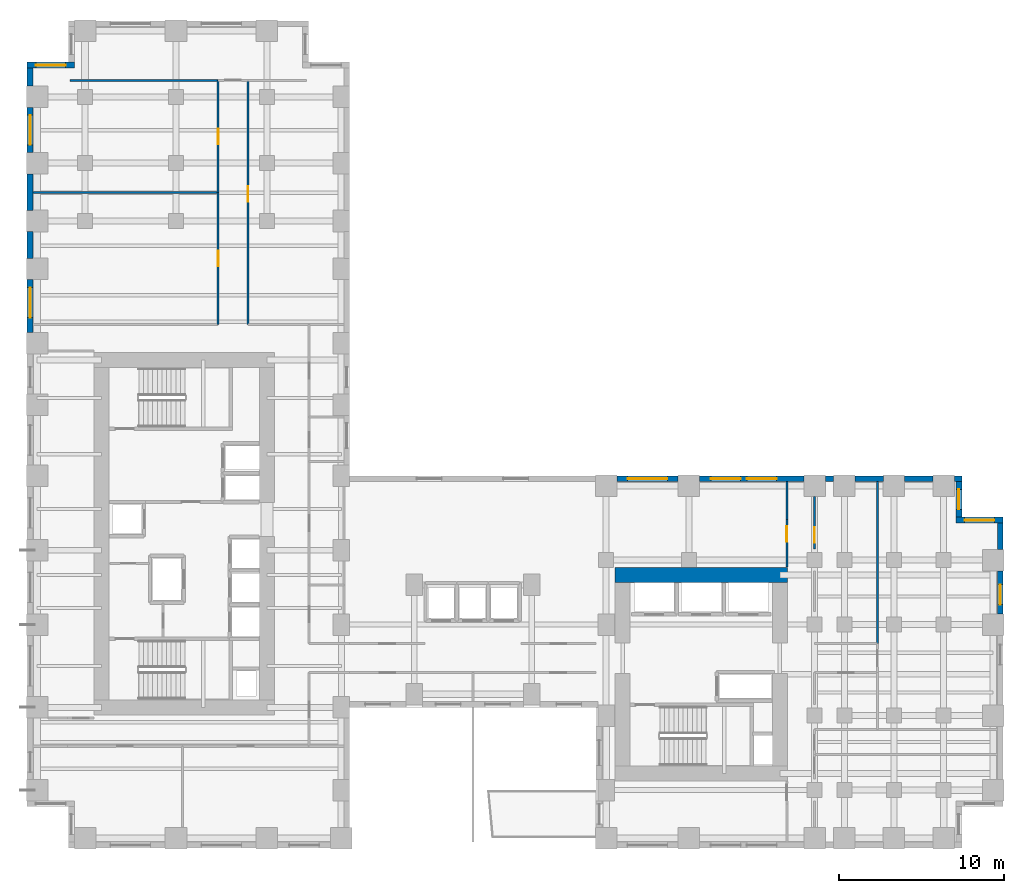
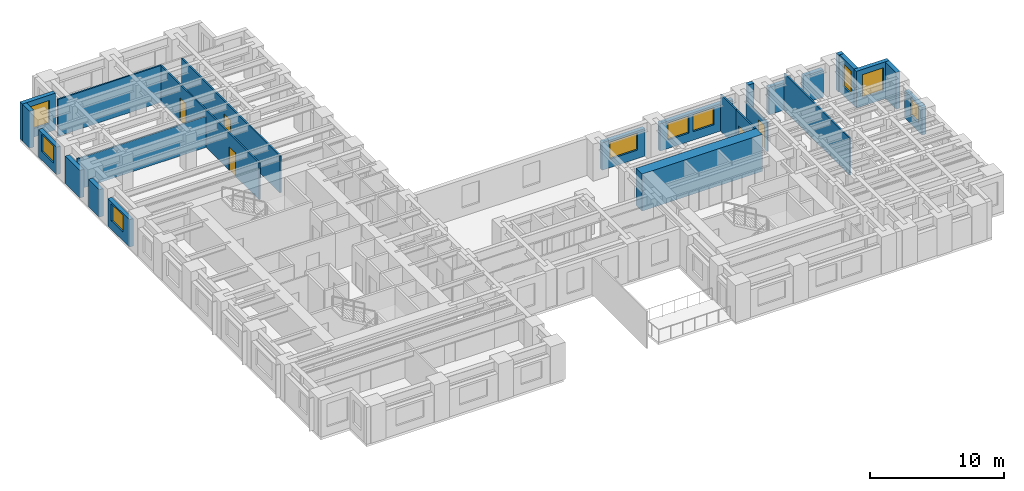
# One storey, part 8 of 12: 26 walls, 9 windows, 5 doors, 14 openings.
"""IFC4 building model written with IfcOpenShell, lengths in metres."""

from ifc_helpers import new_model, si_unit, direction, frame, frame_2d, origin, place, context, subcontext, project, spatial, rectangle, extrude, source, transform, mapped, material, layer, layer_set, type_object, element, fill, save


model = new_model("IFC4")

# Units and contexts
model_context = context("Model", 3, precision=1e-05, world=origin(), true_north=direction((0.0, 1.0)))
body_context = subcontext(model_context, "Body", "Model", "MODEL_VIEW")
ifc_project = project(units=[si_unit("LENGTHUNIT", "METRE"), si_unit("AREAUNIT", "SQUARE_METRE"), si_unit("VOLUMEUNIT", "CUBIC_METRE"), si_unit("PLANEANGLEUNIT", "RADIAN"), si_unit("MASSUNIT", "GRAM", prefix="KILO")], contexts=[model_context])

# Site, building, storey
site_placement = place(None, origin())
site = spatial("IfcSite", under=ifc_project, at=site_placement, CompositionType="ELEMENT")
building_placement = place(site_placement, origin())
building = spatial("IfcBuilding", under=site, at=building_placement, Name="Kharzan Plaza Tower", CompositionType="ELEMENT")
storey_placement = place(building_placement, frame((0.0, 0.0, 62.10009765625)))
storey = spatial("IfcBuildingStorey", under=building, at=storey_placement, Name="L16", CompositionType="ELEMENT", Elevation=62.10009765625)

# Wall, opening, window
ifc_material_1 = material(Name="Concrete C40/50", Category="concrete")
ifc_layer_1 = layer(ifc_material_1, 0.35009765625)
ifc_layer_set_1 = layer_set([ifc_layer_1], Name="Concrete C40/50")
wall_type_1 = type_object("IfcWallType", Name="WL-EXT-MAS-Z1", PredefinedType="SOLIDWALL", material=ifc_layer_set_1)
wall_1_placement = place(storey_placement, frame((2.85009765625, 47.324951171875, 0.0), z_axis=(0.0, 0.0, 1.0), x_axis=(-1.0, 0.0, 0.0)))
wall_1 = element("IfcWall", 1, at=wall_1_placement, inside=storey, type_object=wall_type_1, Name="L16 Masonry-Frame Exterior Wall 08", PredefinedType="SOLIDWALL", context=body_context, shape_type="SweptSolid", body=[
    extrude(rectangle(XDim=2.85009765625, YDim=0.35009765625, at=frame_2d((1.425048828125, 0.0))), origin(), (0.0, 0.0, 1.0), 3.364990234375),
])
opening_1_placement = place(wall_1_placement, frame((0.52490234375, 0.0, 0.780029296875)))
opening_1 = element("IfcOpeningElement", 2, at=opening_1_placement, cuts=wall_1, Name="Opening W1", PredefinedType="OPENING", context=body_context, shape_type="SweptSolid", body=[
    extrude(rectangle(XDim=1.800048828125, YDim=2.10009765625, at=frame_2d((0.89990234375, 1.050048828125))), frame((0.0, 0.18505859375, 0.0), z_axis=(0.0, -1.0, 0.0), x_axis=(1.0, 0.0, 0.0)), (0.0, 0.0, 1.0), 0.3701171875),
])
ifc_material_2 = material(Name="Low-E Double Glazing", Category="glass")
window_type_1 = type_object("IfcWindowType", Name="WN-REC-1800x2100", PartitioningType="SINGLE_PANEL", PredefinedType="WINDOW", material=ifc_material_2)
shared_shape_1 = source(origin(), body_context, "Body", "SweptSolid", [
    extrude(rectangle(XDim=1.800048828125, YDim=2.10009765625, at=frame_2d((0.89990234375, 1.050048828125))), frame((0.0, 0.030029296875, 0.0), z_axis=(0.0, -1.0, 0.0), x_axis=(1.0, 0.0, 0.0)), (0.0, 0.0, 1.0), 0.06005859375),
])
window_1_placement = place(opening_1_placement, origin())
window_1 = element("IfcWindow", 3, at=window_1_placement, inside=storey, type_object=window_type_1, Name="L16 Recessed Solar-Control Window 08-1", OverallHeight=2.10009765625, OverallWidth=1.800048828125, PartitioningType="SINGLE_PANEL", PredefinedType="WINDOW", context=body_context, shape_type="MappedRepresentation", body=[
    mapped(shared_shape_1, transform((0.0, 0.0, 0.0), x_axis=(1.0, 0.0, 0.0), y_axis=(0.0, 1.0, 0.0), z_axis=(0.0, 0.0, 1.0))),
])
fill(opening_1, window_1)

wall_2_placement = place(storey_placement, frame((0.175048828125, 44.751953125, 0.0), z_axis=(0.0, 0.0, 1.0), x_axis=(0.0, -1.0, 0.0)))
wall_2 = element("IfcWall", 4, at=wall_2_placement, inside=storey, type_object=wall_type_1, Name="L16 Masonry-Frame Exterior Wall 10", PredefinedType="SOLIDWALL", context=body_context, shape_type="SweptSolid", body=[
    extrude(rectangle(XDim=2.703857421875, YDim=0.35009765625, at=frame_2d((1.35205078125, 0.0))), origin(), (0.0, 0.0, 1.0), 2.510009765625),
])
opening_2_placement = place(wall_2_placement, frame((0.451904296875, 0.0, 0.780029296875)))
opening_2 = element("IfcOpeningElement", 5, at=opening_2_placement, cuts=wall_2, Name="Opening W1", PredefinedType="OPENING", context=body_context, shape_type="SweptSolid", body=[
    extrude(rectangle(XDim=1.800048828125, YDim=1.550048828125, at=frame_2d((0.89990234375, 0.77490234375))), frame((0.0, 0.18505859375, 0.0), z_axis=(0.0, -1.0, 0.0), x_axis=(1.0, 0.0, 0.0)), (0.0, 0.0, 1.0), 0.3701171875),
])
shared_shape_2 = source(origin(), body_context, "Body", "SweptSolid", [
    extrude(rectangle(XDim=1.800048828125, YDim=1.550048828125, at=frame_2d((0.89990234375, 0.77490234375))), frame((0.0, 0.030029296875, 0.0), z_axis=(0.0, -1.0, 0.0), x_axis=(1.0, 0.0, 0.0)), (0.0, 0.0, 1.0), 0.06005859375),
])
window_2_placement = place(opening_2_placement, origin())
window_2 = element("IfcWindow", 6, at=window_2_placement, inside=storey, type_object=window_type_1, Name="L16 Recessed Solar-Control Window 10-1", OverallHeight=1.550048828125, OverallWidth=1.800048828125, PartitioningType="SINGLE_PANEL", PredefinedType="WINDOW", context=body_context, shape_type="MappedRepresentation", body=[
    mapped(shared_shape_2, transform((0.0, 0.0, 0.0), x_axis=(1.0, 0.0, 0.0), y_axis=(0.0, 1.0, 0.0), z_axis=(0.0, 0.0, 1.0))),
])
fill(opening_2, window_2)

wall_3_placement = place(storey_placement, frame((0.175048828125, 34.35205078125, 0.0), z_axis=(0.0, 0.0, 1.0), x_axis=(0.0, -1.0, 0.0)))
wall_3 = element("IfcWall", 7, at=wall_3_placement, inside=storey, type_object=wall_type_1, Name="L16 Masonry-Frame Exterior Wall 13", PredefinedType="SOLIDWALL", context=body_context, shape_type="SweptSolid", body=[
    extrude(rectangle(XDim=3.2041015625, YDim=0.35009765625, at=frame_2d((1.60205078125, 0.0))), origin(), (0.0, 0.0, 1.0), 2.510009765625),
])
opening_3_placement = place(wall_3_placement, frame((0.486083984375, 0.0, 0.780029296875)))
opening_3 = element("IfcOpeningElement", 8, at=opening_3_placement, cuts=wall_3, Name="Opening W1", PredefinedType="OPENING", context=body_context, shape_type="SweptSolid", body=[
    extrude(rectangle(XDim=1.800048828125, YDim=1.550048828125, at=frame_2d((0.89990234375, 0.77490234375))), frame((0.0, 0.18505859375, 0.0), z_axis=(0.0, -1.0, 0.0), x_axis=(1.0, 0.0, 0.0)), (0.0, 0.0, 1.0), 0.3701171875),
])
window_3_placement = place(opening_3_placement, origin())
window_3 = element("IfcWindow", 9, at=window_3_placement, inside=storey, type_object=window_type_1, Name="L16 Recessed Solar-Control Window 13-1", OverallHeight=1.550048828125, OverallWidth=1.800048828125, PartitioningType="SINGLE_PANEL", PredefinedType="WINDOW", context=body_context, shape_type="MappedRepresentation", body=[
    mapped(shared_shape_2, transform((0.0, 0.0, 0.0), x_axis=(1.0, 0.0, 0.0), y_axis=(0.0, 1.0, 0.0), z_axis=(0.0, 0.0, 1.0))),
])
fill(opening_3, window_3)

wall_4_placement = place(storey_placement, frame((58.824951171875, 14.14794921875, 0.0), z_axis=(0.0, 0.0, 1.0), x_axis=(0.0, 1.0, 0.0)))
wall_4 = element("IfcWall", 10, at=wall_4_placement, inside=storey, type_object=wall_type_1, Name="L16 Masonry-Frame Exterior Wall 43", PredefinedType="SOLIDWALL", context=body_context, shape_type="SweptSolid", body=[
    extrude(rectangle(XDim=2.60400390625, YDim=0.35009765625, at=frame_2d((1.302001953125, 0.0))), origin(), (0.0, 0.0, 1.0), 2.510009765625),
])
opening_4_placement = place(wall_4_placement, frame((0.5673828125, 0.0, 0.780029296875)))
opening_4 = element("IfcOpeningElement", 11, at=opening_4_placement, cuts=wall_4, Name="Opening W3", PredefinedType="OPENING", context=body_context, shape_type="SweptSolid", body=[
    extrude(rectangle(XDim=1.199951171875, YDim=1.550048828125, at=frame_2d((0.60009765625, 0.77490234375))), frame((0.0, 0.18505859375, 0.0), z_axis=(0.0, -1.0, 0.0), x_axis=(1.0, 0.0, 0.0)), (0.0, 0.0, 1.0), 0.3701171875),
])
window_type_2 = type_object("IfcWindowType", Name="WN-REC-1200x2100", PartitioningType="SINGLE_PANEL", PredefinedType="WINDOW", material=ifc_material_2)
shared_shape_3 = source(origin(), body_context, "Body", "SweptSolid", [
    extrude(rectangle(XDim=1.199951171875, YDim=1.550048828125, at=frame_2d((0.60009765625, 0.77490234375))), frame((0.0, 0.030029296875, 0.0), z_axis=(0.0, -1.0, 0.0), x_axis=(1.0, 0.0, 0.0)), (0.0, 0.0, 1.0), 0.06005859375),
])
window_4_placement = place(opening_4_placement, origin())
window_4 = element("IfcWindow", 12, at=window_4_placement, inside=storey, type_object=window_type_2, Name="L16 Recessed Solar-Control Window 43-1", OverallHeight=1.550048828125, OverallWidth=1.199951171875, PartitioningType="SINGLE_PANEL", PredefinedType="WINDOW", context=body_context, shape_type="MappedRepresentation", body=[
    mapped(shared_shape_3, transform((0.0, 0.0, 0.0), x_axis=(1.0, 0.0, 0.0), y_axis=(0.0, 1.0, 0.0), z_axis=(0.0, 0.0, 1.0))),
])
fill(opening_4, window_4)

wall_5_placement = place(storey_placement, frame((59.0, 19.824951171875, 0.0), z_axis=(0.0, 0.0, 1.0), x_axis=(-1.0, 0.0, 0.0)))
wall_5 = element("IfcWall", 13, at=wall_5_placement, inside=storey, type_object=wall_type_1, Name="L16 Masonry-Frame Exterior Wall 45", PredefinedType="SOLIDWALL", context=body_context, shape_type="SweptSolid", body=[
    extrude(rectangle(XDim=2.85009765625, YDim=0.35009765625, at=frame_2d((1.425048828125, 0.0))), origin(), (0.0, 0.0, 1.0), 3.364990234375),
])
opening_5_placement = place(wall_5_placement, frame((0.52490234375, 0.0, 0.780029296875)))
opening_5 = element("IfcOpeningElement", 14, at=opening_5_placement, cuts=wall_5, Name="Opening W1", PredefinedType="OPENING", context=body_context, shape_type="SweptSolid", body=[
    extrude(rectangle(XDim=1.800048828125, YDim=2.10009765625, at=frame_2d((0.89990234375, 1.050048828125))), frame((0.0, 0.18505859375, 0.0), z_axis=(0.0, -1.0, 0.0), x_axis=(1.0, 0.0, 0.0)), (0.0, 0.0, 1.0), 0.3701171875),
])
window_5_placement = place(opening_5_placement, origin())
window_5 = element("IfcWindow", 15, at=window_5_placement, inside=storey, type_object=window_type_1, Name="L16 Recessed Solar-Control Window 45-1", OverallHeight=2.10009765625, OverallWidth=1.800048828125, PartitioningType="SINGLE_PANEL", PredefinedType="WINDOW", context=body_context, shape_type="MappedRepresentation", body=[
    mapped(shared_shape_1, transform((0.0, 0.0, 0.0), x_axis=(1.0, 0.0, 0.0), y_axis=(0.0, 1.0, 0.0), z_axis=(0.0, 0.0, 1.0))),
])
fill(opening_5, window_5)

wall_6_placement = place(storey_placement, frame((56.324951171875, 19.998046875, 0.0), z_axis=(0.0, 0.0, 1.0), x_axis=(0.0, 1.0, 0.0)))
wall_6 = element("IfcWall", 16, at=wall_6_placement, inside=storey, type_object=wall_type_1, Name="L16 Masonry-Frame Exterior Wall 46", PredefinedType="SOLIDWALL", context=body_context, shape_type="SweptSolid", body=[
    extrude(rectangle(XDim=2.154052734375, YDim=0.35009765625, at=frame_2d((1.0771484375, 0.0))), origin(), (0.0, 0.0, 1.0), 3.364990234375),
])
opening_6_placement = place(wall_6_placement, frame((0.47705078125, 0.0, 0.780029296875)))
opening_6 = element("IfcOpeningElement", 17, at=opening_6_placement, cuts=wall_6, Name="Opening W3", PredefinedType="OPENING", context=body_context, shape_type="SweptSolid", body=[
    extrude(rectangle(XDim=1.199951171875, YDim=2.10009765625, at=frame_2d((0.60009765625, 1.050048828125))), frame((0.0, 0.18505859375, 0.0), z_axis=(0.0, -1.0, 0.0), x_axis=(1.0, 0.0, 0.0)), (0.0, 0.0, 1.0), 0.3701171875),
])
shared_shape_4 = source(origin(), body_context, "Body", "SweptSolid", [
    extrude(rectangle(XDim=1.199951171875, YDim=2.10009765625, at=frame_2d((0.60009765625, 1.050048828125))), frame((0.0, 0.030029296875, 0.0), z_axis=(0.0, -1.0, 0.0), x_axis=(1.0, 0.0, 0.0)), (0.0, 0.0, 1.0), 0.06005859375),
])
window_6_placement = place(opening_6_placement, origin())
window_6 = element("IfcWindow", 18, at=window_6_placement, inside=storey, type_object=window_type_2, Name="L16 Recessed Solar-Control Window 46-1", OverallHeight=2.10009765625, OverallWidth=1.199951171875, PartitioningType="SINGLE_PANEL", PredefinedType="WINDOW", context=body_context, shape_type="MappedRepresentation", body=[
    mapped(shared_shape_4, transform((0.0, 0.0, 0.0), x_axis=(1.0, 0.0, 0.0), y_axis=(0.0, 1.0, 0.0), z_axis=(0.0, 0.0, 1.0))),
])
fill(opening_6, window_6)

# Wall, openings, windows
wall_7_placement = place(storey_placement, frame((46.951904296875, 22.324951171875, 0.0), z_axis=(0.0, 0.0, 1.0), x_axis=(-1.0, 0.0, 0.0)))
wall_7 = element("IfcWall", 19, at=wall_7_placement, inside=storey, type_object=wall_type_1, Name="L16 Masonry-Frame Exterior Wall 51", PredefinedType="SOLIDWALL", context=body_context, shape_type="SweptSolid", body=[
    extrude(rectangle(XDim=6.303955078125, YDim=0.35009765625, at=frame_2d((3.15185546875, 0.0))), origin(), (0.0, 0.0, 1.0), 2.510009765625),
])
opening_7_placement = place(wall_7_placement, frame((1.6494140625, 0.0, 0.780029296875)))
opening_7 = element("IfcOpeningElement", 20, at=opening_7_placement, cuts=wall_7, Name="Opening W1", PredefinedType="OPENING", context=body_context, shape_type="SweptSolid", body=[
    extrude(rectangle(XDim=1.800048828125, YDim=1.550048828125, at=frame_2d((0.89990234375, 0.77490234375))), frame((0.0, 0.18505859375, 0.0), z_axis=(0.0, -1.0, 0.0), x_axis=(1.0, 0.0, 0.0)), (0.0, 0.0, 1.0), 0.3701171875),
])
opening_8_placement = place(wall_7_placement, frame((3.816650390625, 0.0, 0.780029296875)))
opening_8 = element("IfcOpeningElement", 21, at=opening_8_placement, cuts=wall_7, Name="Opening W1", PredefinedType="OPENING", context=body_context, shape_type="SweptSolid", body=[
    extrude(rectangle(XDim=1.800048828125, YDim=1.550048828125, at=frame_2d((0.89990234375, 0.77490234375))), frame((0.0, 0.18505859375, 0.0), z_axis=(0.0, -1.0, 0.0), x_axis=(1.0, 0.0, 0.0)), (0.0, 0.0, 1.0), 0.3701171875),
])
window_7_placement = place(opening_7_placement, origin())
window_7 = element("IfcWindow", 22, at=window_7_placement, inside=storey, type_object=window_type_1, Name="L16 Recessed Solar-Control Window 51-1", OverallHeight=1.550048828125, OverallWidth=1.800048828125, PartitioningType="SINGLE_PANEL", PredefinedType="WINDOW", context=body_context, shape_type="MappedRepresentation", body=[
    mapped(shared_shape_2, transform((0.0, 0.0, 0.0), x_axis=(1.0, 0.0, 0.0), y_axis=(0.0, 1.0, 0.0), z_axis=(0.0, 0.0, 1.0))),
])
fill(opening_7, window_7)
window_8_placement = place(opening_8_placement, origin())
window_8 = element("IfcWindow", 23, at=window_8_placement, inside=storey, type_object=window_type_1, Name="L16 Recessed Solar-Control Window 51-2", OverallHeight=1.550048828125, OverallWidth=1.800048828125, PartitioningType="SINGLE_PANEL", PredefinedType="WINDOW", context=body_context, shape_type="MappedRepresentation", body=[
    mapped(shared_shape_2, transform((0.0, 0.0, 0.0), x_axis=(1.0, 0.0, 0.0), y_axis=(0.0, 1.0, 0.0), z_axis=(0.0, 0.0, 1.0))),
])
fill(opening_8, window_8)

# Wall, opening, window
wall_8_placement = place(storey_placement, frame((39.35205078125, 22.324951171875, 0.0), z_axis=(0.0, 0.0, 1.0), x_axis=(-1.0, 0.0, 0.0)))
wall_8 = element("IfcWall", 24, at=wall_8_placement, inside=storey, type_object=wall_type_1, Name="L16 Masonry-Frame Exterior Wall 52", PredefinedType="SOLIDWALL", context=body_context, shape_type="SweptSolid", body=[
    extrude(rectangle(XDim=3.7041015625, YDim=0.35009765625, at=frame_2d((1.85205078125, 0.0))), origin(), (0.0, 0.0, 1.0), 2.510009765625),
])
opening_9_placement = place(wall_8_placement, frame((0.652099609375, 0.0, 0.780029296875)))
opening_9 = element("IfcOpeningElement", 25, at=opening_9_placement, cuts=wall_8, Name="Opening W2", PredefinedType="OPENING", context=body_context, shape_type="SweptSolid", body=[
    extrude(rectangle(XDim=2.39990234375, YDim=1.550048828125, at=frame_2d((1.199951171875, 0.77490234375))), frame((0.0, 0.18505859375, 0.0), z_axis=(0.0, -1.0, 0.0), x_axis=(1.0, 0.0, 0.0)), (0.0, 0.0, 1.0), 0.3701171875),
])
window_type_3 = type_object("IfcWindowType", Name="WN-REC-2400x2100", PartitioningType="SINGLE_PANEL", PredefinedType="WINDOW", material=ifc_material_2)
shared_shape_5 = source(origin(), body_context, "Body", "SweptSolid", [
    extrude(rectangle(XDim=2.39990234375, YDim=1.550048828125, at=frame_2d((1.199951171875, 0.77490234375))), frame((0.0, 0.030029296875, 0.0), z_axis=(0.0, -1.0, 0.0), x_axis=(1.0, 0.0, 0.0)), (0.0, 0.0, 1.0), 0.06005859375),
])
window_9_placement = place(opening_9_placement, origin())
window_9 = element("IfcWindow", 26, at=window_9_placement, inside=storey, type_object=window_type_3, Name="L16 Wide Recessed Solar-Control Window 52-1", OverallHeight=1.550048828125, OverallWidth=2.39990234375, PartitioningType="SINGLE_PANEL", PredefinedType="WINDOW", context=body_context, shape_type="MappedRepresentation", body=[
    mapped(shared_shape_5, transform((0.0, 0.0, 0.0), x_axis=(1.0, 0.0, 0.0), y_axis=(0.0, 1.0, 0.0), z_axis=(0.0, 0.0, 1.0))),
])
fill(opening_9, window_9)

# Wall, opening, door
ifc_material_3 = material(Name="Fire-Rated Gypsum Board Partition", Category="gypsum")
ifc_layer_2 = layer(ifc_material_3, 0.125)
ifc_layer_set_2 = layer_set([ifc_layer_2], Name="Fire-Rated Gypsum Board Partition")
wall_type_2 = type_object("IfcWallType", Name="WL-INT-PART-125", PredefinedType="PARTITIONING", material=ifc_layer_set_2)
wall_9_placement = place(storey_placement, frame((47.60009765625, 18.06005859375, 0.0), z_axis=(0.0, 0.0, 1.0), x_axis=(0.0, 1.0, 0.0)))
wall_9 = element("IfcWall", 27, at=wall_9_placement, inside=storey, type_object=wall_type_2, Name="L16 Interior Partition SH-B2W3D-S2", PredefinedType="PARTITIONING", context=body_context, shape_type="SweptSolid", body=[
    extrude(rectangle(XDim=3.179931640625, YDim=0.125, at=frame_2d((1.58984375, 0.0))), origin(), (0.0, 0.0, 1.0), 2.669921875),
])
opening_10_placement = place(wall_9_placement, frame((0.3876953125, 0.0, 0.0)))
opening_10 = element("IfcOpeningElement", 28, at=opening_10_placement, cuts=wall_9, Name="Opening OD1", PredefinedType="OPENING", context=body_context, shape_type="SweptSolid", body=[
    extrude(rectangle(XDim=0.949951171875, YDim=2.14990234375, at=frame_2d((0.47509765625, 1.074951171875))), frame((0.0, 0.072509765625, 0.0), z_axis=(0.0, -1.0, 0.0), x_axis=(1.0, 0.0, 0.0)), (0.0, 0.0, 1.0), 0.14501953125),
])
ifc_material_4 = material(Name="Acoustic Solid-Core Stained Oak", Category="timber")
door_type = type_object("IfcDoorType", Name="DR-OFF-SINGLE", OperationType="NOTDEFINED", PredefinedType="DOOR", material=ifc_material_4)
shared_shape_6 = source(origin(), body_context, "Body", "SweptSolid", [
    extrude(rectangle(XDim=0.949951171875, YDim=2.14990234375, at=frame_2d((0.47509765625, 1.074951171875))), frame((0.0, 0.02490234375, 0.0), z_axis=(0.0, -1.0, 0.0), x_axis=(1.0, 0.0, 0.0)), (0.0, 0.0, 1.0), 0.050048828125),
])
door_1_placement = place(opening_10_placement, origin())
door_1 = element("IfcDoor", 29, at=door_1_placement, inside=storey, type_object=door_type, Name="L16 Spur North Office Door", OperationType="SINGLE_SWING_RIGHT", OverallHeight=2.14990234375, OverallWidth=0.949951171875, PredefinedType="DOOR", context=body_context, shape_type="MappedRepresentation", body=[
    mapped(shared_shape_6, transform((0.0, 0.0, 0.0), x_axis=(1.0, 0.0, 0.0), y_axis=(0.0, 1.0, 0.0), z_axis=(0.0, 0.0, 1.0))),
])
fill(opening_10, door_1)

wall_10_placement = place(storey_placement, frame((45.919921875, 16.97998046875, 0.0), z_axis=(0.0, 0.0, 1.0), x_axis=(0.0, 1.0, 0.0)))
wall_10 = element("IfcWall", 30, at=wall_10_placement, inside=storey, type_object=wall_type_2, Name="L16 Interior Partition SH-RBNE", PredefinedType="PARTITIONING", context=body_context, shape_type="SweptSolid", body=[
    extrude(rectangle(XDim=2.8701171875, YDim=0.125, at=frame_2d((1.43505859375, 0.0))), origin(), (0.0, 0.0, 1.0), 3.364990234375),
])
opening_11_placement = place(wall_10_placement, frame((1.51708984375, 0.0, 0.0)))
opening_11 = element("IfcOpeningElement", 31, at=opening_11_placement, cuts=wall_10, Name="Opening OD1", PredefinedType="OPENING", context=body_context, shape_type="SweptSolid", body=[
    extrude(rectangle(XDim=0.949951171875, YDim=2.14990234375, at=frame_2d((0.47509765625, 1.074951171875))), frame((0.0, 0.072509765625, 0.0), z_axis=(0.0, -1.0, 0.0), x_axis=(1.0, 0.0, 0.0)), (0.0, 0.0, 1.0), 0.14501953125),
])
door_2_placement = place(opening_11_placement, origin())
door_2 = element("IfcDoor", 32, at=door_2_placement, inside=storey, type_object=door_type, Name="L16 Wing B North Studio Door", OperationType="SINGLE_SWING_LEFT", OverallHeight=2.14990234375, OverallWidth=0.949951171875, PredefinedType="DOOR", context=body_context, shape_type="MappedRepresentation", body=[
    mapped(shared_shape_6, transform((0.0, 0.0, 0.0), x_axis=(1.0, 0.0, 0.0), y_axis=(0.0, 1.0, 0.0), z_axis=(0.0, 0.0, 1.0))),
])
fill(opening_11, door_2)

wall_11_placement = place(storey_placement, frame((13.35009765625, 31.64990234375, 0.0), z_axis=(0.0, 0.0, 1.0), x_axis=(0.0, 1.0, 0.0)))
wall_11 = element("IfcWall", 33, at=wall_11_placement, inside=storey, type_object=wall_type_2, Name="L16 Interior Partition SH-SPE-1", PredefinedType="PARTITIONING", context=body_context, shape_type="SweptSolid", body=[
    extrude(rectangle(XDim=14.75, YDim=0.125, at=frame_2d((7.375, 0.0))), origin(), (0.0, 0.0, 1.0), 3.364990234375),
])
opening_12_placement = place(wall_11_placement, frame((7.401611328125, 0.0, 0.0)))
opening_12 = element("IfcOpeningElement", 34, at=opening_12_placement, cuts=wall_11, Name="Opening OD1", PredefinedType="OPENING", context=body_context, shape_type="SweptSolid", body=[
    extrude(rectangle(XDim=0.949951171875, YDim=2.14990234375, at=frame_2d((0.47509765625, 1.074951171875))), frame((0.0, 0.072509765625, 0.0), z_axis=(0.0, -1.0, 0.0), x_axis=(1.0, 0.0, 0.0)), (0.0, 0.0, 1.0), 0.14501953125),
])
door_3_placement = place(opening_12_placement, origin())
door_3 = element("IfcDoor", 35, at=door_3_placement, inside=storey, type_object=door_type, Name="L16 Joint-Venture Negotiation Room Door", OperationType="SINGLE_SWING_RIGHT", OverallHeight=2.14990234375, OverallWidth=0.949951171875, PredefinedType="DOOR", context=body_context, shape_type="MappedRepresentation", body=[
    mapped(shared_shape_6, transform((0.0, 0.0, 0.0), x_axis=(1.0, 0.0, 0.0), y_axis=(0.0, 1.0, 0.0), z_axis=(0.0, 0.0, 1.0))),
])
fill(opening_12, door_3)

wall_12_placement = place(storey_placement, frame((11.550048828125, 31.64990234375, 0.0), z_axis=(0.0, 0.0, 1.0), x_axis=(0.0, 1.0, 0.0)))
wall_12 = element("IfcWall", 36, at=wall_12_placement, inside=storey, type_object=wall_type_2, Name="L16 Interior Partition SH-SPW-1", PredefinedType="PARTITIONING", context=body_context, shape_type="SweptSolid", body=[
    extrude(rectangle(XDim=7.965087890625, YDim=0.125, at=frame_2d((3.982421875, 0.0))), origin(), (0.0, 0.0, 1.0), 3.364990234375),
])
opening_13_placement = place(wall_12_placement, frame((3.507568359375, 0.0, 0.0)))
opening_13 = element("IfcOpeningElement", 37, at=opening_13_placement, cuts=wall_12, Name="Opening OD1", PredefinedType="OPENING", context=body_context, shape_type="SweptSolid", body=[
    extrude(rectangle(XDim=0.949951171875, YDim=2.14990234375, at=frame_2d((0.47509765625, 1.074951171875))), frame((0.0, 0.072509765625, 0.0), z_axis=(0.0, -1.0, 0.0), x_axis=(1.0, 0.0, 0.0)), (0.0, 0.0, 1.0), 0.14501953125),
])
door_4_placement = place(opening_13_placement, origin())
door_4 = element("IfcDoor", 38, at=door_4_placement, inside=storey, type_object=door_type, Name="L16 Client Advisory Meeting Room Door", OperationType="SINGLE_SWING_LEFT", OverallHeight=2.14990234375, OverallWidth=0.949951171875, PredefinedType="DOOR", context=body_context, shape_type="MappedRepresentation", body=[
    mapped(shared_shape_6, transform((0.0, 0.0, 0.0), x_axis=(1.0, 0.0, 0.0), y_axis=(0.0, 1.0, 0.0), z_axis=(0.0, 0.0, 1.0))),
])
fill(opening_13, door_4)

wall_13_placement = place(storey_placement, frame((11.550048828125, 39.614990234375, 0.0), z_axis=(0.0, 0.0, 1.0), x_axis=(0.0, 1.0, 0.0)))
wall_13 = element("IfcWall", 39, at=wall_13_placement, inside=storey, type_object=wall_type_2, Name="L16 Interior Partition SH-SPW-2", PredefinedType="PARTITIONING", context=body_context, shape_type="SweptSolid", body=[
    extrude(rectangle(XDim=6.784912109375, YDim=0.125, at=frame_2d((3.392578125, 0.0))), origin(), (0.0, 0.0, 1.0), 3.364990234375),
])
opening_14_placement = place(wall_13_placement, frame((2.91748046875, 0.0, 0.0)))
opening_14 = element("IfcOpeningElement", 40, at=opening_14_placement, cuts=wall_13, Name="Opening OD1", PredefinedType="OPENING", context=body_context, shape_type="SweptSolid", body=[
    extrude(rectangle(XDim=0.949951171875, YDim=2.14990234375, at=frame_2d((0.47509765625, 1.074951171875))), frame((0.0, 0.072509765625, 0.0), z_axis=(0.0, -1.0, 0.0), x_axis=(1.0, 0.0, 0.0)), (0.0, 0.0, 1.0), 0.14501953125),
])
door_5_placement = place(opening_14_placement, origin())
door_5 = element("IfcDoor", 41, at=door_5_placement, inside=storey, type_object=door_type, Name="L16 Client Advisory Meeting Room Door", OperationType="SINGLE_SWING_RIGHT", OverallHeight=2.14990234375, OverallWidth=0.949951171875, PredefinedType="DOOR", context=body_context, shape_type="MappedRepresentation", body=[
    mapped(shared_shape_6, transform((0.0, 0.0, 0.0), x_axis=(1.0, 0.0, 0.0), y_axis=(0.0, 1.0, 0.0), z_axis=(0.0, 0.0, 1.0))),
])
fill(opening_14, door_5)

# Walls
ifc_material_5 = material(Name="Concrete C60/75", Category="concrete")
ifc_layer_3 = layer(ifc_material_5, 0.89990234375)
ifc_layer_set_3 = layer_set([ifc_layer_3], Name="Concrete C60/75")
wall_type_3 = type_object("IfcWallType", Name="WL-CORE-900", PredefinedType="SHEAR", material=ifc_layer_set_3)
shared_shape_7 = source(origin(), body_context, "Body", "SweptSolid", [
    extrude(rectangle(XDim=10.39990234375, YDim=0.89990234375, at=frame_2d((5.199951171875, 0.0))), origin(), (0.0, 0.0, 1.0), 3.3798828125),
])
wall_14_placement = place(storey_placement, frame((35.550048828125, 16.5, 0.0), z_axis=(0.0, 0.0, 1.0), x_axis=(1.0, 0.0, 0.0)))
element("IfcWall", 42, at=wall_14_placement, inside=storey, type_object=wall_type_3, Name="L16 CORE-B north RC shear wall", PredefinedType="SHEAR", context=body_context, shape_type="MappedRepresentation", body=[
    mapped(shared_shape_7, transform((0.0, 0.0, 0.0), x_axis=(1.0, 0.0, 0.0), y_axis=(0.0, 1.0, 0.0), z_axis=(0.0, 0.0, 1.0))),
])
shared_shape_8 = source(origin(), body_context, "Body", "SweptSolid", [
    extrude(rectangle(XDim=1.10400390625, YDim=0.35009765625, at=frame_2d((0.552001953125, 0.0))), origin(), (0.0, 0.0, 1.0), 3.364990234375),
])
wall_15_placement = place(storey_placement, frame((0.175048828125, 47.152099609375, 0.0), z_axis=(0.0, 0.0, 1.0), x_axis=(0.0, -1.0, 0.0)))
element("IfcWall", 43, at=wall_15_placement, inside=storey, type_object=wall_type_1, Name="L16 Masonry-Frame Exterior Wall 09", PredefinedType="SOLIDWALL", context=body_context, shape_type="MappedRepresentation", body=[
    mapped(shared_shape_8, transform((0.0, 0.0, 0.0), x_axis=(1.0, 0.0, 0.0), y_axis=(0.0, 1.0, 0.0), z_axis=(0.0, 0.0, 1.0))),
])
shared_shape_9 = source(origin(), body_context, "Body", "SweptSolid", [
    extrude(rectangle(XDim=1.60400390625, YDim=0.35009765625, at=frame_2d((0.802001953125, 0.0))), origin(), (0.0, 0.0, 1.0), 2.510009765625),
])
wall_16_placement = place(storey_placement, frame((0.175048828125, 37.251953125, 0.0), z_axis=(0.0, 0.0, 1.0), x_axis=(0.0, -1.0, 0.0)))
element("IfcWall", 44, at=wall_16_placement, inside=storey, type_object=wall_type_1, Name="L16 Masonry-Frame Exterior Wall 12", PredefinedType="SOLIDWALL", context=body_context, shape_type="MappedRepresentation", body=[
    mapped(shared_shape_9, transform((0.0, 0.0, 0.0), x_axis=(1.0, 0.0, 0.0), y_axis=(0.0, 1.0, 0.0), z_axis=(0.0, 0.0, 1.0))),
])
shared_shape_10 = source(origin(), body_context, "Body", "SweptSolid", [
    extrude(rectangle(XDim=0.50390625, YDim=0.35009765625, at=frame_2d((0.251953125, 0.0))), origin(), (0.0, 0.0, 1.0), 3.364990234375),
])
wall_17_placement = place(storey_placement, frame((48.751953125, 22.324951171875, 0.0), z_axis=(0.0, 0.0, 1.0), x_axis=(-1.0, 0.0, 0.0)))
element("IfcWall", 45, at=wall_17_placement, inside=storey, type_object=wall_type_1, Name="L16 Masonry-Frame Exterior Wall 50", PredefinedType="SOLIDWALL", context=body_context, shape_type="MappedRepresentation", body=[
    mapped(shared_shape_10, transform((0.0, 0.0, 0.0), x_axis=(1.0, 0.0, 0.0), y_axis=(0.0, 1.0, 0.0), z_axis=(0.0, 0.0, 1.0))),
])
shared_shape_11 = source(origin(), body_context, "Body", "SweptSolid", [
    extrude(rectangle(XDim=1.703857421875, YDim=0.35009765625, at=frame_2d((0.85205078125, 0.0))), origin(), (0.0, 0.0, 1.0), 2.510009765625),
])
for number, where, z_axis, x_axis, name in (
    (46, (54.751953125, 22.324951171875, 0.0), (0.0, 0.0, 1.0), (-1.0, 0.0, 0.0), "L16 Masonry-Frame Exterior Wall 48"),
    (47, (51.751953125, 22.324951171875, 0.0), (0.0, 0.0, 1.0), (-1.0, 0.0, 0.0), "L16 Masonry-Frame Exterior Wall 49"),
):
    element("IfcWall", number, at=place(storey_placement, frame(where, z_axis=z_axis, x_axis=x_axis)), inside=storey, type_object=wall_type_1, Name=name, PredefinedType="SOLIDWALL", context=body_context, shape_type="MappedRepresentation", body=[
        mapped(shared_shape_11, transform((0.0, 0.0, 0.0), x_axis=(1.0, 0.0, 0.0), y_axis=(0.0, 1.0, 0.0), z_axis=(0.0, 0.0, 1.0))),
    ])
shared_shape_12 = source(origin(), body_context, "Body", "SweptSolid", [
    extrude(rectangle(XDim=0.451904296875, YDim=0.35009765625, at=frame_2d((0.22607421875, 0.0))), origin(), (0.0, 0.0, 1.0), 3.364990234375),
])
wall_18_placement = place(storey_placement, frame((56.5, 22.324951171875, 0.0), z_axis=(0.0, 0.0, 1.0), x_axis=(-1.0, 0.0, 0.0)))
element("IfcWall", 48, at=wall_18_placement, inside=storey, type_object=wall_type_1, Name="L16 Masonry-Frame Exterior Wall 47", PredefinedType="SOLIDWALL", context=body_context, shape_type="MappedRepresentation", body=[
    mapped(shared_shape_12, transform((0.0, 0.0, 0.0), x_axis=(1.0, 0.0, 0.0), y_axis=(0.0, 1.0, 0.0), z_axis=(0.0, 0.0, 1.0))),
])
shared_shape_13 = source(origin(), body_context, "Body", "SweptSolid", [
    extrude(rectangle(XDim=1.60400390625, YDim=0.35009765625, at=frame_2d((0.802001953125, 0.0))), origin(), (0.0, 0.0, 1.0), 3.364990234375),
])
wall_19_placement = place(storey_placement, frame((58.824951171875, 18.048095703125, 0.0), z_axis=(0.0, 0.0, 1.0), x_axis=(0.0, 1.0, 0.0)))
element("IfcWall", 49, at=wall_19_placement, inside=storey, type_object=wall_type_1, Name="L16 Masonry-Frame Exterior Wall 44", PredefinedType="SOLIDWALL", context=body_context, shape_type="MappedRepresentation", body=[
    mapped(shared_shape_13, transform((0.0, 0.0, 0.0), x_axis=(1.0, 0.0, 0.0), y_axis=(0.0, 1.0, 0.0), z_axis=(0.0, 0.0, 1.0))),
])
shared_shape_14 = source(origin(), body_context, "Body", "SweptSolid", [
    extrude(rectangle(XDim=2.203857421875, YDim=0.35009765625, at=frame_2d((1.10205078125, 0.0))), origin(), (0.0, 0.0, 1.0), 2.510009765625),
])
wall_20_placement = place(storey_placement, frame((0.175048828125, 40.751953125, 0.0), z_axis=(0.0, 0.0, 1.0), x_axis=(0.0, -1.0, 0.0)))
element("IfcWall", 50, at=wall_20_placement, inside=storey, type_object=wall_type_1, Name="L16 Masonry-Frame Exterior Wall 11", PredefinedType="SOLIDWALL", context=body_context, shape_type="MappedRepresentation", body=[
    mapped(shared_shape_14, transform((0.0, 0.0, 0.0), x_axis=(1.0, 0.0, 0.0), y_axis=(0.0, 1.0, 0.0), z_axis=(0.0, 0.0, 1.0))),
])
shared_shape_15 = source(origin(), body_context, "Body", "SweptSolid", [
    extrude(rectangle(XDim=2.2978515625, YDim=0.125, at=frame_2d((1.14892578125, 0.0))), origin(), (0.0, 0.0, 1.0), 3.364990234375),
])
wall_21_placement = place(storey_placement, frame((45.919921875, 19.85009765625, 0.0), z_axis=(0.0, 0.0, 1.0), x_axis=(0.0, 1.0, 0.0)))
element("IfcWall", 51, at=wall_21_placement, inside=storey, type_object=wall_type_2, Name="L16 Interior Partition SH-RBNE0", PredefinedType="PARTITIONING", context=body_context, shape_type="MappedRepresentation", body=[
    mapped(shared_shape_15, transform((0.0, 0.0, 0.0), x_axis=(1.0, 0.0, 0.0), y_axis=(0.0, 1.0, 0.0), z_axis=(0.0, 0.0, 1.0))),
])
shared_shape_16 = source(origin(), body_context, "Body", "SweptSolid", [
    extrude(rectangle(XDim=9.789794921875, YDim=0.125, at=frame_2d((4.89501953125, 0.0))), origin(), (0.0, 0.0, 1.0), 3.364990234375),
])
wall_22_placement = place(storey_placement, frame((51.39990234375, 12.35009765625, 0.0), z_axis=(0.0, 0.0, 1.0), x_axis=(0.0, 1.0, 0.0)))
element("IfcWall", 52, at=wall_22_placement, inside=storey, type_object=wall_type_2, Name="L16 Interior Partition SH-B2V2", PredefinedType="PARTITIONING", context=body_context, shape_type="MappedRepresentation", body=[
    mapped(shared_shape_16, transform((0.0, 0.0, 0.0), x_axis=(1.0, 0.0, 0.0), y_axis=(0.0, 1.0, 0.0), z_axis=(0.0, 0.0, 1.0))),
])
shared_shape_17 = source(origin(), body_context, "Body", "SweptSolid", [
    extrude(rectangle(XDim=8.949951171875, YDim=0.125, at=frame_2d((4.47509765625, 0.0))), origin(), (0.0, 0.0, 1.0), 3.364990234375),
])
wall_23_placement = place(storey_placement, frame((2.60009765625, 46.39990234375, 0.0), z_axis=(0.0, 0.0, 1.0), x_axis=(1.0, 0.0, 0.0)))
element("IfcWall", 53, at=wall_23_placement, inside=storey, type_object=wall_type_2, Name="L16 Interior Partition SH-SPHW", PredefinedType="PARTITIONING", context=body_context, shape_type="MappedRepresentation", body=[
    mapped(shared_shape_17, transform((0.0, 0.0, 0.0), x_axis=(1.0, 0.0, 0.0), y_axis=(0.0, 1.0, 0.0), z_axis=(0.0, 0.0, 1.0))),
])
shared_shape_18 = source(origin(), body_context, "Body", "SweptSolid", [
    extrude(rectangle(XDim=11.197998046875, YDim=0.125, at=frame_2d((5.59912109375, 0.0))), origin(), (0.0, 0.0, 1.0), 2.827880859375),
])
wall_24_placement = place(storey_placement, frame((0.35205078125, 39.614990234375, 0.0), z_axis=(0.0, 0.0, 1.0), x_axis=(1.0, 0.0, 0.0)))
element("IfcWall", 54, at=wall_24_placement, inside=storey, type_object=wall_type_2, Name="L16 Interior Partition SH-NWH-1", PredefinedType="PARTITIONING", context=body_context, shape_type="MappedRepresentation", body=[
    mapped(shared_shape_18, transform((0.0, 0.0, 0.0), x_axis=(1.0, 0.0, 0.0), y_axis=(0.0, 1.0, 0.0), z_axis=(0.0, 0.0, 1.0))),
])

save(model, "model.ifc")
